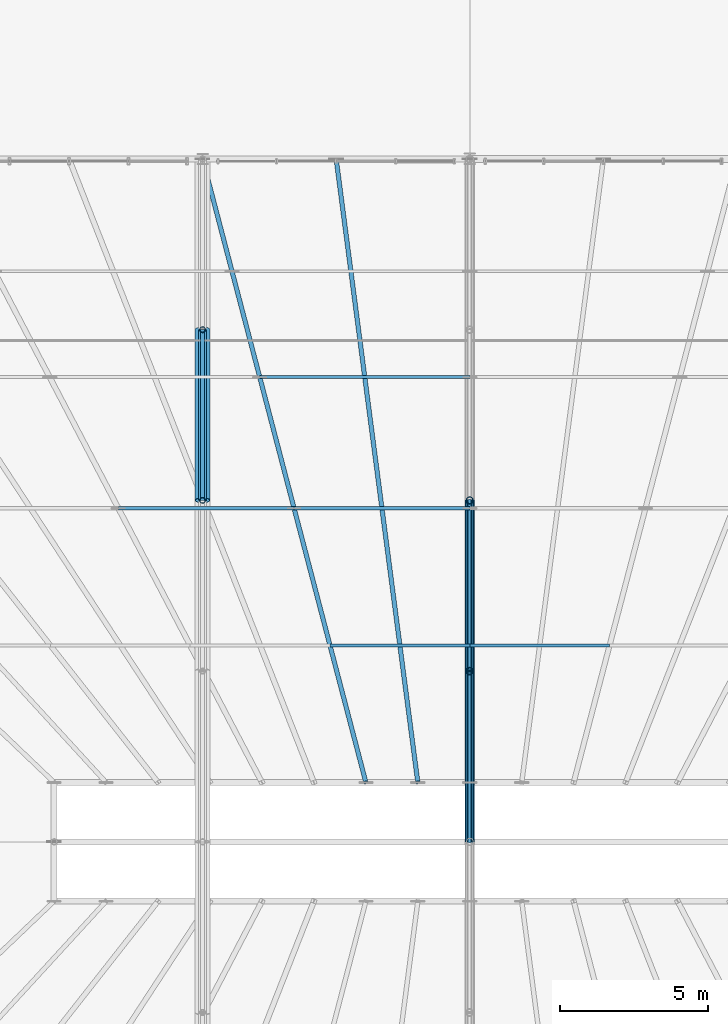
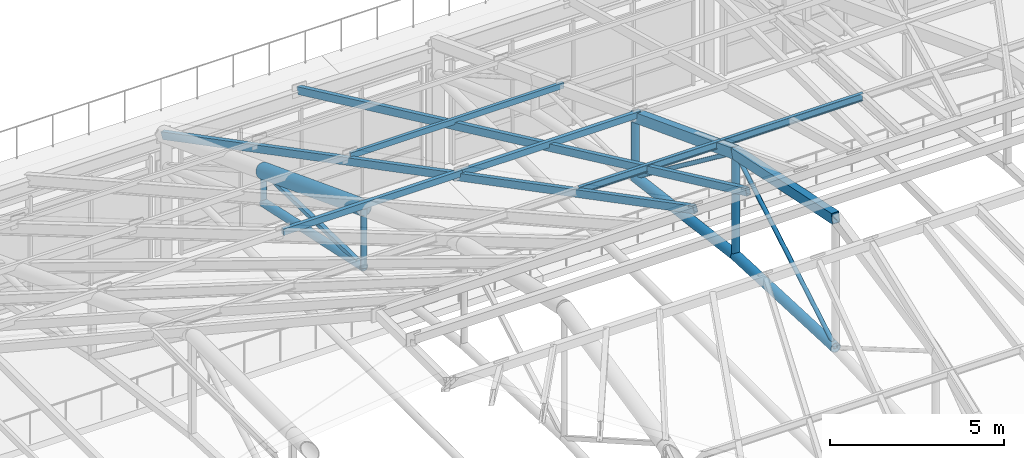
# One storey, part 54 of 168: 17 members, 3 beams.
"""IFC4 building model written with IfcOpenShell, lengths in metres."""

from ifc_helpers import new_model, si_unit, direction, frame, origin, origin_2d, place, context, subcontext, project, spatial, hollow_rectangle, hollow_circle, i_section, extrude, material, material_profile, profile_set, type_object, element, save


model = new_model("IFC4")

# Units and contexts
model_context = context("Model", 3, precision=1e-05, world=origin(), true_north=direction((0.0, 1.0)))
body_context = subcontext(model_context, "Body", "Model", "MODEL_VIEW")
ifc_project = project(units=[si_unit("LENGTHUNIT", "METRE"), si_unit("AREAUNIT", "SQUARE_METRE"), si_unit("VOLUMEUNIT", "CUBIC_METRE"), si_unit("PLANEANGLEUNIT", "RADIAN"), si_unit("MASSUNIT", "GRAM", prefix="KILO"), si_unit("THERMODYNAMICTEMPERATUREUNIT", "KELVIN"), si_unit("POWERUNIT", "WATT")], contexts=[model_context])

# Site, building, storey
site_placement = place(None, origin())
site = spatial("IfcSite", under=ifc_project, at=site_placement, CompositionType="ELEMENT")
building_placement = place(site_placement, origin())
building = spatial("IfcBuilding", under=site, at=building_placement, Name="Tepalcoro Natatorium and Aquatics Centre", CompositionType="ELEMENT")
storey_placement = place(building_placement, frame((0.0, 0.0, 10.199951171875)))
storey = spatial("IfcBuildingStorey", under=building, at=storey_placement, Name="L02", CompositionType="ELEMENT", Elevation=10.199951171875)

# Beams
ifc_material_1 = material(Name="Terracotta Painted Hollow Steel ASTM A500 Grade C (Fy 345 MPa)", Category="masonry")
ifc_material_profile_1 = material_profile(ifc_material_1, hollow_circle(Radius=0.25390625, WallThickness=0.02001953125, at=origin_2d()), Name="CHS508X20")
ifc_profile_set_1 = profile_set([ifc_material_profile_1], Name="Terracotta Painted Hollow Steel ASTM A500 Grade C (Fy 345 MPa)")
beam_type_1 = type_object("IfcBeamType", Name="AC_CHS508x20", PredefinedType="USERDEFINED", material=ifc_profile_set_1)
beam_1_placement = place(storey_placement, frame((80.0, 47.5, 8.738037109375), z_axis=(0.0, 0.934186419385, -0.356785276935), x_axis=(-1.0, 0.0, 0.0)))
element("IfcBeam", 1, at=beam_1_placement, inside=storey, type_object=beam_type_1, Name="V1 Arched Truss Top Chord 4", ObjectType="ARCH CHORD", PredefinedType="USERDEFINED", context=body_context, shape_type="SweptSolid", body=[
    extrude(hollow_circle(Radius=0.25390625, WallThickness=0.02001953125, at=origin_2d()), origin(), (0.0, 0.0, 1.0), 6.155029296875),
])
ifc_material_profile_2 = material_profile(ifc_material_1, hollow_rectangle(XDim=0.25, YDim=0.35009765625, WallThickness=0.01611328125, at=origin_2d()), Name="HSS350X250X16")
ifc_profile_set_2 = profile_set([ifc_material_profile_2], Name="Terracotta Painted Hollow Steel ASTM A500 Grade C (Fy 345 MPa)")
beam_type_2 = type_object("IfcBeamType", Name="AC_HSS350x250x16", PredefinedType="USERDEFINED", material=ifc_profile_set_2)
beam_2_placement = place(storey_placement, frame((89.0, 36.0, 12.199951171875), z_axis=(0.0, 0.979349653083, -0.202173828689), x_axis=(-1.0, 0.0, 0.0)))
element("IfcBeam", 2, at=beam_2_placement, inside=storey, type_object=beam_type_2, Name="V1 Arched Truss Top Chord 5", ObjectType="ARCH CHORD", PredefinedType="USERDEFINED", context=body_context, shape_type="SweptSolid", body=[
    extrude(hollow_rectangle(XDim=0.25, YDim=0.35009765625, WallThickness=0.01611328125, at=origin_2d()), origin(), (0.0, 0.0, 1.0), 5.871337890625),
])
beam_3_placement = place(storey_placement, frame((89.0, 41.75, 11.012939453125), z_axis=(0.0, 0.934186419385, -0.356785276935), x_axis=(-1.0, 0.0, 0.0)))
element("IfcBeam", 3, at=beam_3_placement, inside=storey, type_object=beam_type_2, Name="V1 Arched Truss Top Chord 5", ObjectType="ARCH CHORD", PredefinedType="USERDEFINED", context=body_context, shape_type="SweptSolid", body=[
    extrude(hollow_rectangle(XDim=0.25, YDim=0.35009765625, WallThickness=0.01611328125, at=origin_2d()), origin(), (0.0, 0.0, 1.0), 6.155029296875),
])

# Members
ifc_material_profile_3 = material_profile(ifc_material_1, hollow_circle(Radius=0.136474609375, WallThickness=0.01611328125, at=origin_2d()), Name="CHS273X16")
ifc_profile_set_3 = profile_set([ifc_material_profile_3], Name="Terracotta Painted Hollow Steel ASTM A500 Grade C (Fy 345 MPa)")
member_type_1 = type_object("IfcMemberType", Name="MB_CH_CHS273x16", PredefinedType="CHORD", material=ifc_profile_set_3)
member_1_placement = place(storey_placement, frame((80.0, 47.5, 6.66259765625), z_axis=(0.0, 0.977724584974, -0.209891962535), x_axis=(-1.0, 0.0, 0.0)))
element("IfcMember", 4, at=member_1_placement, inside=storey, type_object=member_type_1, Name="V1 Arched Truss Bottom Chord 4", PredefinedType="CHORD", context=body_context, shape_type="SweptSolid", body=[
    extrude(hollow_circle(Radius=0.136474609375, WallThickness=0.01611328125, at=origin_2d()), origin(), (0.0, 0.0, 1.0), 5.881103515625),
])
ifc_material_profile_4 = material_profile(ifc_material_1, hollow_circle(Radius=0.162109375, WallThickness=0.013916015625, at=origin_2d()), Name="CHS324X14")
ifc_profile_set_4 = profile_set([ifc_material_profile_4], Name="Terracotta Painted Hollow Steel ASTM A500 Grade C (Fy 345 MPa)")
member_type_2 = type_object("IfcMemberType", Name="MB_CH_CHS324x14", PredefinedType="CHORD", material=ifc_profile_set_4)
member_2_placement = place(storey_placement, frame((89.0, 36.0, 7.650146484375), z_axis=(0.0, 0.999078119626, -0.042929137953), x_axis=(-1.0, 0.0, 0.0)))
element("IfcMember", 5, at=member_2_placement, inside=storey, type_object=member_type_2, Name="V1 Arched Truss Bottom Chord 5", PredefinedType="CHORD", context=body_context, shape_type="SweptSolid", body=[
    extrude(hollow_circle(Radius=0.162109375, WallThickness=0.013916015625, at=origin_2d()), origin(), (0.0, 0.0, 1.0), 5.75537109375),
])
member_3_placement = place(storey_placement, frame((89.0, 41.75, 7.403076171875), z_axis=(0.0, 0.991809731939, -0.127724138798), x_axis=(-1.0, 0.0, 0.0)))
element("IfcMember", 6, at=member_3_placement, inside=storey, type_object=member_type_2, Name="V1 Arched Truss Bottom Chord 5", PredefinedType="CHORD", context=body_context, shape_type="SweptSolid", body=[
    extrude(hollow_circle(Radius=0.162109375, WallThickness=0.013916015625, at=origin_2d()), origin(), (0.0, 0.0, 1.0), 5.79736328125),
])
ifc_material_2 = material(Name="Hollow Steel ASTM A500 Grade C (Fy 345 MPa)", Category="steel")
ifc_material_profile_5 = material_profile(ifc_material_2, hollow_rectangle(XDim=0.10009765625, YDim=0.199951171875, WallThickness=0.008056640625, at=origin_2d()), Name="HSS200X100X8")
ifc_profile_set_5 = profile_set([ifc_material_profile_5], Name="Hollow Steel ASTM A500 Grade C (Fy 345 MPa)")
member_type_3 = type_object("IfcMemberType", Name="MB_PR_HSS200x100x8", PredefinedType="PURLIN", material=ifc_profile_set_5)
member_4_placement = place(storey_placement, frame((81.925048828125, 51.64990234375, 7.380126953125), z_axis=(1.0, 0.0, 0.0), x_axis=(0.0, 1.0, 0.0)))
element("IfcMember", 7, at=member_4_placement, inside=storey, type_object=member_type_3, Name="Pyramid Horizontal Purlin North", PredefinedType="PURLIN", context=body_context, shape_type="SweptSolid", body=[
    extrude(hollow_rectangle(XDim=0.10009765625, YDim=0.199951171875, WallThickness=0.008056640625, at=origin_2d()), origin(), (0.0, 0.0, 1.0), 7.074951171875),
])
ifc_material_profile_6 = material_profile(ifc_material_2, hollow_rectangle(XDim=0.1201171875, YDim=0.219970703125, WallThickness=0.010009765625, at=origin_2d()), Name="HSS220X120X10")
ifc_profile_set_6 = profile_set([ifc_material_profile_6], Name="Hollow Steel ASTM A500 Grade C (Fy 345 MPa)")
member_type_4 = type_object("IfcMemberType", Name="MB_PR_HSS220x120x10", PredefinedType="PURLIN", material=ifc_profile_set_6)
member_5_placement = place(storey_placement, frame((77.159912109375, 47.239990234375, 9.05419921875), z_axis=(1.0, 0.0, 0.0), x_axis=(0.0, 1.0, 0.0)))
element("IfcMember", 8, at=member_5_placement, inside=storey, type_object=member_type_4, Name="Pyramid Horizontal Purlin North", PredefinedType="PURLIN", context=body_context, shape_type="SweptSolid", body=[
    extrude(hollow_rectangle(XDim=0.1201171875, YDim=0.219970703125, WallThickness=0.010009765625, at=origin_2d()), origin(), (0.0, 0.0, 1.0), 5.920166015625),
])
member_6_placement = place(storey_placement, frame((83.080078125, 47.239990234375, 9.05419921875), z_axis=(1.0, 0.0, 0.0), x_axis=(0.0, 1.0, 0.0)))
element("IfcMember", 9, at=member_6_placement, inside=storey, type_object=member_type_4, Name="Pyramid Horizontal Purlin North", PredefinedType="PURLIN", context=body_context, shape_type="SweptSolid", body=[
    extrude(hollow_rectangle(XDim=0.1201171875, YDim=0.219970703125, WallThickness=0.010009765625, at=origin_2d()), origin(), (0.0, 0.0, 1.0), 5.919921875),
])
ifc_material_3 = material(Name="Steel ASTM A992 Grade 50 (Fy 345 MPa)", Category="steel")
ifc_material_profile_7 = material_profile(ifc_material_3, i_section(OverallWidth=0.10205078125, OverallDepth=0.259033203125, WebThickness=0.006103515625, FlangeThickness=0.010009765625, FilletRadius=0.013916015625, at=origin_2d()), Name="W10X19")
ifc_profile_set_7 = profile_set([ifc_material_profile_7], Name="Steel ASTM A992 Grade 50 (Fy 345 MPa)")
member_type_5 = type_object("IfcMemberType", Name="MB_PR_W10x19", PredefinedType="PURLIN", material=ifc_profile_set_7)
for number, where, z_axis, x_axis, name in (
    (10, (84.2900390625, 42.6201171875, 10.799072265625), (1.0, 0.0, 0.0), (0.0, 1.0, 0.0), "Pyramid Horizontal Purlin North"),
    (11, (89.0, 42.6201171875, 10.799072265625), (1.0, 0.0, 0.0), (0.0, 1.0, 0.0), "Pyramid Horizontal Purlin North"),
):
    element("IfcMember", number, at=place(storey_placement, frame(where, z_axis=z_axis, x_axis=x_axis)), inside=storey, type_object=member_type_5, Name=name, PredefinedType="PURLIN", context=body_context, shape_type="SweptSolid", body=[
        extrude(i_section(OverallWidth=0.10205078125, OverallDepth=0.259033203125, WebThickness=0.006103515625, FlangeThickness=0.010009765625, FilletRadius=0.013916015625, at=origin_2d()), origin(), (0.0, 0.0, 1.0), 4.7099609375),
    ])
ifc_material_profile_8 = material_profile(ifc_material_1, hollow_circle(Radius=0.096923828125, WallThickness=0.010009765625, at=origin_2d()), Name="CHS194X10")
ifc_profile_set_8 = profile_set([ifc_material_profile_8], Name="Terracotta Painted Hollow Steel ASTM A500 Grade C (Fy 345 MPa)")
member_type_6 = type_object("IfcMemberType", Name="MB_PS_CHS194x10", PredefinedType="POST", material=ifc_profile_set_8)
member_7_placement = place(storey_placement, frame((80.0, 47.5, 6.66259765625), z_axis=(0.0, 0.0, 1.0), x_axis=(1.0, 0.0, 0.0)))
element("IfcMember", 12, at=member_7_placement, inside=storey, type_object=member_type_6, Name="V1 Arched Truss Vertical Post 4", PredefinedType="POST", context=body_context, shape_type="SweptSolid", body=[
    extrude(hollow_circle(Radius=0.096923828125, WallThickness=0.010009765625, at=origin_2d()), origin(), (0.0, 0.0, 1.0), 2.075439453125),
])
member_8_placement = place(storey_placement, frame((80.0, 53.25, 5.42822265625), z_axis=(0.0, 0.0, 1.0), x_axis=(1.0, 0.0, 0.0)))
element("IfcMember", 13, at=member_8_placement, inside=storey, type_object=member_type_6, Name="V1 Arched Truss Vertical Post 4", PredefinedType="POST", context=body_context, shape_type="SweptSolid", body=[
    extrude(hollow_circle(Radius=0.096923828125, WallThickness=0.010009765625, at=origin_2d()), origin(), (0.0, 0.0, 1.0), 1.11376953125),
])
ifc_material_profile_9 = material_profile(ifc_material_1, hollow_circle(Radius=0.1220703125, WallThickness=0.011962890625, at=origin_2d()), Name="CHS244X12")
ifc_profile_set_9 = profile_set([ifc_material_profile_9], Name="Terracotta Painted Hollow Steel ASTM A500 Grade C (Fy 345 MPa)")
member_type_7 = type_object("IfcMemberType", Name="MB_PS_CHS244x12", PredefinedType="POST", material=ifc_profile_set_9)
member_9_placement = place(storey_placement, frame((89.0, 41.75, 7.403076171875), z_axis=(0.0, 0.0, 1.0), x_axis=(1.0, 0.0, 0.0)))
element("IfcMember", 14, at=member_9_placement, inside=storey, type_object=member_type_7, Name="V1 Arched Truss Vertical Post 5", PredefinedType="POST", context=body_context, shape_type="SweptSolid", body=[
    extrude(hollow_circle(Radius=0.1220703125, WallThickness=0.011962890625, at=origin_2d()), origin(), (0.0, 0.0, 1.0), 3.60986328125),
])
member_10_placement = place(storey_placement, frame((89.0, 47.5, 6.66259765625), z_axis=(0.0, 0.0, 1.0), x_axis=(1.0, 0.0, 0.0)))
element("IfcMember", 15, at=member_10_placement, inside=storey, type_object=member_type_7, Name="V1 Arched Truss Vertical Post 5", PredefinedType="POST", context=body_context, shape_type="SweptSolid", body=[
    extrude(hollow_circle(Radius=0.1220703125, WallThickness=0.011962890625, at=origin_2d()), origin(), (0.0, 0.0, 1.0), 2.154296875),
])
ifc_material_profile_10 = material_profile(ifc_material_1, hollow_rectangle(XDim=0.14990234375, YDim=0.25, WallThickness=0.010009765625, at=origin_2d()), Name="HSS250X150X10")
ifc_profile_set_10 = profile_set([ifc_material_profile_10], Name="Terracotta Painted Hollow Steel ASTM A500 Grade C (Fy 345 MPa)")
member_type_8 = type_object("IfcMemberType", Name="MB_RF_HSS250x150x10", PredefinedType="RAFTER", material=ifc_profile_set_10)
member_11_placement = place(storey_placement, frame((80.0, 59.0, 4.320068359375), z_axis=(0.23699559669, -0.904892278272, 0.353557706568), x_axis=(0.96737222338, 0.253359391838, 0.0)))
element("IfcMember", 16, at=member_11_placement, inside=storey, type_object=member_type_8, Name="Pyramid Skylight Rafter North", PredefinedType="RAFTER", context=body_context, shape_type="SweptSolid", body=[
    extrude(hollow_rectangle(XDim=0.14990234375, YDim=0.25, WallThickness=0.010009765625, at=origin_2d()), origin(), (0.0, 0.0, 1.0), 23.207275390625),
])
member_12_placement = place(storey_placement, frame((84.5, 59.0, 4.320068359375), z_axis=(0.121075397608, -0.924575763548, 0.361248398686), x_axis=(0.991534461322, 0.129843798506, 0.0)))
element("IfcMember", 17, at=member_12_placement, inside=storey, type_object=member_type_8, Name="Pyramid Skylight Rafter North", PredefinedType="RAFTER", context=body_context, shape_type="SweptSolid", body=[
    extrude(hollow_rectangle(XDim=0.14990234375, YDim=0.25, WallThickness=0.010009765625, at=origin_2d()), origin(), (0.0, 0.0, 1.0), 22.713134765625),
])
ifc_material_profile_11 = material_profile(ifc_material_1, hollow_circle(Radius=0.070068359375, WallThickness=0.008056640625, at=origin_2d()), Name="CHS140X8")
ifc_profile_set_11 = profile_set([ifc_material_profile_11], Name="Terracotta Painted Hollow Steel ASTM A500 Grade C (Fy 345 MPa)")
member_type_9 = type_object("IfcMemberType", Name="MB_ST_CHS140x8", PredefinedType="STRUT", material=ifc_profile_set_11)
member_13_placement = place(storey_placement, frame((89.0, 36.0, 7.650146484375), z_axis=(0.0, 0.863214725894, 0.504836941001), x_axis=(-1.0, 0.0, 0.0)))
element("IfcMember", 18, at=member_13_placement, inside=storey, type_object=member_type_9, Name="V1 Arched Truss Web Diagonal 5", PredefinedType="STRUT", context=body_context, shape_type="SweptSolid", body=[
    extrude(hollow_circle(Radius=0.070068359375, WallThickness=0.008056640625, at=origin_2d()), origin(), (0.0, 0.0, 1.0), 6.6611328125),
])
member_14_placement = place(storey_placement, frame((89.0, 41.75, 11.012939453125), z_axis=(0.0, 0.797473754897, -0.603353636146), x_axis=(-1.0, 0.0, 0.0)))
element("IfcMember", 19, at=member_14_placement, inside=storey, type_object=member_type_9, Name="V1 Arched Truss Web Diagonal 5", PredefinedType="STRUT", context=body_context, shape_type="SweptSolid", body=[
    extrude(hollow_circle(Radius=0.070068359375, WallThickness=0.008056640625, at=origin_2d()), origin(), (0.0, 0.0, 1.0), 7.210205078125),
])
ifc_material_profile_12 = material_profile(ifc_material_2, hollow_rectangle(XDim=0.139892578125, YDim=0.139892578125, WallThickness=0.008056640625, at=origin_2d()), Name="HSS140X140X8")
ifc_profile_set_12 = profile_set([ifc_material_profile_12], Name="Hollow Steel ASTM A500 Grade C (Fy 345 MPa)")
member_type_10 = type_object("IfcMemberType", Name="MB_ST_HSS140x140x8", PredefinedType="STRUT", material=ifc_profile_set_12)
member_15_placement = place(storey_placement, frame((80.0, 47.5, 6.66259765625), z_axis=(0.0, 0.999780100093, -0.02097025176), x_axis=(-1.0, 0.0, 0.0)))
element("IfcMember", 20, at=member_15_placement, inside=storey, type_object=member_type_10, Name="V1 Arched Truss Web Diagonal 4", PredefinedType="STRUT", context=body_context, shape_type="SweptSolid", body=[
    extrude(hollow_rectangle(XDim=0.139892578125, YDim=0.139892578125, WallThickness=0.008056640625, at=origin_2d()), origin(), (0.0, 0.0, 1.0), 5.751220703125),
])

save(model, "model.ifc")
